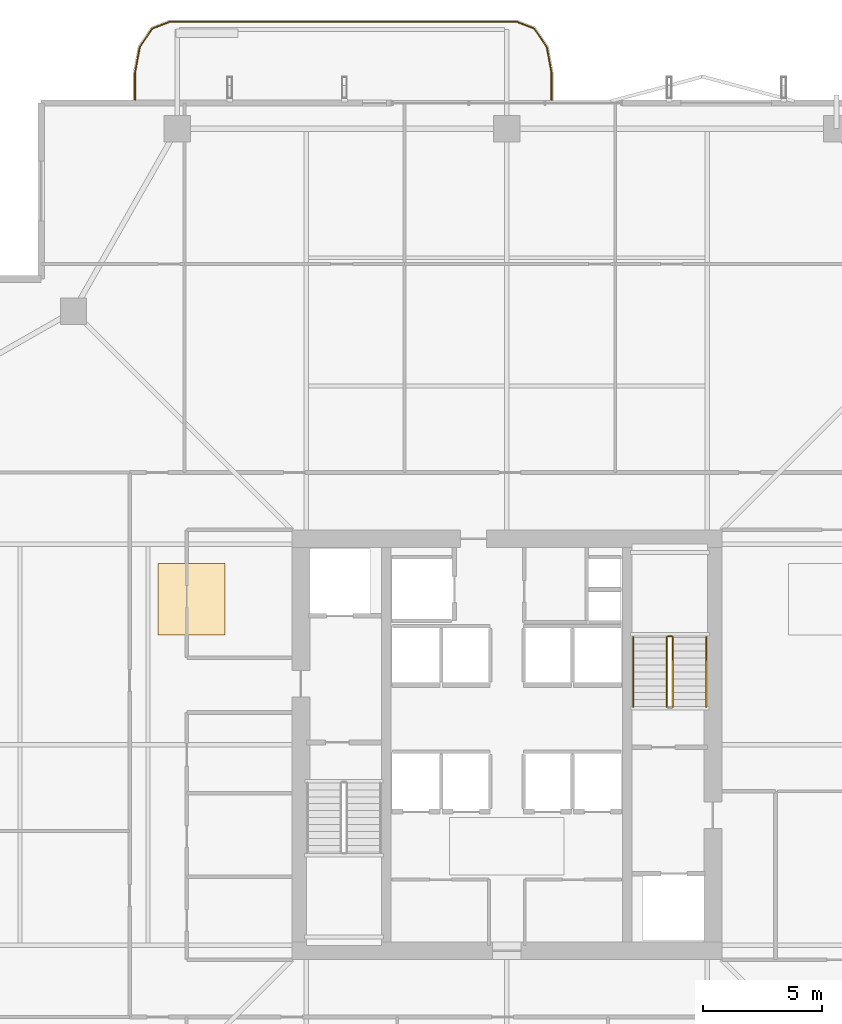
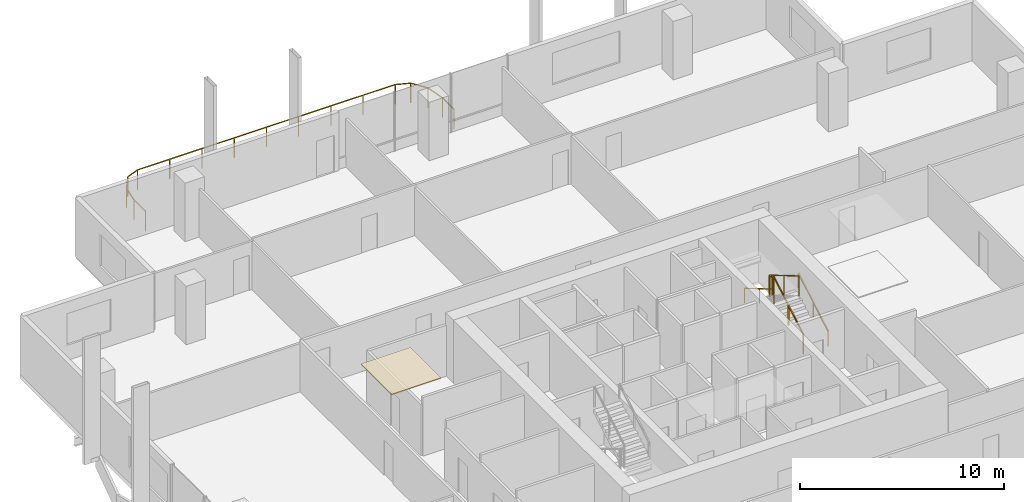
# One storey, part 23 of 24: 6 railings, 1 covering.
"""IFC4 building model written with IfcOpenShell, lengths in metres."""

from ifc_helpers import new_model, si_unit, direction, frame, origin, origin_2d, place, context, subcontext, project, spatial, polyline, rectangle, outline, extrude, material, layer, layer_set, type_object, element, save


model = new_model("IFC4")

# Units and contexts
model_context = context("Model", 3, precision=1e-05, world=origin(), true_north=direction((0.0, 1.0)))
body_context = subcontext(model_context, "Body", "Model", "MODEL_VIEW")
ifc_project = project(units=[si_unit("LENGTHUNIT", "METRE"), si_unit("AREAUNIT", "SQUARE_METRE"), si_unit("VOLUMEUNIT", "CUBIC_METRE"), si_unit("PLANEANGLEUNIT", "RADIAN"), si_unit("MASSUNIT", "GRAM", prefix="KILO")], contexts=[model_context])

# Site, building, storey
site_placement = place(None, origin())
site = spatial("IfcSite", under=ifc_project, at=site_placement, CompositionType="ELEMENT")
building_placement = place(site_placement, origin())
building = spatial("IfcBuilding", under=site, at=building_placement, Name="Belovzor Exchange Tower", CompositionType="ELEMENT")
storey_placement = place(building_placement, frame((0.0, 0.0, 203.699951171875)))
storey = spatial("IfcBuildingStorey", under=building, at=storey_placement, Name="L50", CompositionType="ELEMENT", Elevation=203.699951171875)

# Railings
ifc_material_1 = material(Name="Stainless Steel Grade 304", Category="steel")
railing_type_1 = type_object("IfcRailingType", Name="Brushed Stainless Steel Stair Handrail 900", PredefinedType="HANDRAIL", material=ifc_material_1)
railing_1_placement = place(storey_placement, frame((37.14990234375, 30.39990234375, 0.17041015625)))
element("IfcRailing", 1, at=railing_1_placement, inside=storey, type_object=railing_type_1, Name="L50 ST-2 stair handrail 1", PredefinedType="HANDRAIL", context=body_context, shape_type="SweptSolid", body=[
    extrude(rectangle(XDim=0.048095703125, YDim=0.048095703125, at=origin_2d()), frame((0.0, 0.0, 0.8759765625), z_axis=(0.0, 0.862113265706, 0.506715617574), x_axis=(-1.0, 0.0, 0.0)), (0.0, 0.0, 1.0), 3.364013671875),
    extrude(rectangle(XDim=0.0419921875, YDim=0.0419921875, at=origin_2d()), origin(), (0.0, 0.0, 1.0), 0.851806640625),
    extrude(rectangle(XDim=0.0419921875, YDim=0.0419921875, at=origin_2d()), frame((0.0, 1.4501953125, 0.852294921875)), (0.0, 0.0, 1.0), 0.851806640625),
    extrude(rectangle(XDim=0.0419921875, YDim=0.0419921875, at=origin_2d()), frame((0.0, 2.900146484375, 1.70458984375)), (0.0, 0.0, 1.0), 0.851806640625),
])
railing_2_placement = place(storey_placement, frame((34.10009765625, 33.300048828125, 2.04541015625)))
element("IfcRailing", 2, at=railing_2_placement, inside=storey, type_object=railing_type_1, Name="L50 ST-2 stair handrail 2", PredefinedType="HANDRAIL", context=body_context, shape_type="SweptSolid", body=[
    extrude(rectangle(XDim=0.048095703125, YDim=0.048095703125, at=origin_2d()), frame((0.0, 0.0, 0.8759765625), z_axis=(0.0, -0.862113265706, 0.506715617574), x_axis=(1.0, 0.0, 0.0)), (0.0, 0.0, 1.0), 3.364013671875),
    extrude(rectangle(XDim=0.0419921875, YDim=0.0419921875, at=origin_2d()), origin(), (0.0, 0.0, 1.0), 0.851806640625),
    extrude(rectangle(XDim=0.0419921875, YDim=0.0419921875, at=origin_2d()), frame((0.0, -1.4501953125, 0.852294921875)), (0.0, 0.0, 1.0), 0.851806640625),
    extrude(rectangle(XDim=0.0419921875, YDim=0.0419921875, at=origin_2d()), frame((0.0, -2.900146484375, 1.70458984375)), (0.0, 0.0, 1.0), 0.851806640625),
])
ifc_material_2 = material(Name="Stainless Steel and Laminated Safety Glass", Category="steel")
railing_type_2 = type_object("IfcRailingType", Name="Laminated Glass & Stainless Steel Balcony Balustrade 1200", PredefinedType="BALUSTRADE", material=ifc_material_2)
railing_3_placement = place(storey_placement, frame((30.669921875, 55.81005859375, 0.0)))
element("IfcRailing", 3, at=railing_3_placement, inside=storey, type_object=railing_type_2, Name="GR-1 Balcony Balustrade L50 North", PredefinedType="BALUSTRADE", context=body_context, shape_type="SweptSolid", body=[
    extrude(rectangle(XDim=0.048095703125, YDim=0.048095703125, at=origin_2d()), frame((0.0, 0.0, 1.17578125), z_axis=(0.0, 1.0, 0.0), x_axis=(-1.0, 0.0, 0.0)), (0.0, 0.0, 1.0), 1.133056640625),
    extrude(rectangle(XDim=0.048095703125, YDim=0.048095703125, at=origin_2d()), frame((0.0, 1.133056640625, 1.17578125), z_axis=(-0.180122719713, 0.983644145941, 0.0), x_axis=(-0.983644145941, -0.180122719713, 0.0)), (0.0, 0.0, 1.0), 1.09375),
    extrude(rectangle(XDim=0.048095703125, YDim=0.048095703125, at=origin_2d()), frame((-0.197021484375, 2.208984375, 1.17578125), z_axis=(-0.562768145367, 0.826614792125, 0.0), x_axis=(-0.826614792125, -0.562768145367, 0.0)), (0.0, 0.0, 1.0), 0.9326171875),
    extrude(rectangle(XDim=0.048095703125, YDim=0.048095703125, at=origin_2d()), frame((-0.721923828125, 2.97998046875, 1.17578125), z_axis=(-0.930766990125, 0.365612923861, 0.0), x_axis=(-0.365612923861, -0.930766990125, 0.0)), (0.0, 0.0, 1.0), 0.765869140625),
    extrude(rectangle(XDim=0.048095703125, YDim=0.048095703125, at=origin_2d()), frame((-1.434814453125, 3.260009765625, 1.17578125), z_axis=(-1.0, 0.0, 0.0), x_axis=(0.0, -1.0, 0.0)), (0.0, 0.0, 1.0), 14.570068359375),
    extrude(rectangle(XDim=0.048095703125, YDim=0.048095703125, at=origin_2d()), frame((-16.0048828125, 3.260009765625, 1.17578125), z_axis=(-0.930809580156, -0.365504480807, 0.0), x_axis=(0.365504480807, -0.930809580156, 0.0)), (0.0, 0.0, 1.0), 0.76611328125),
    extrude(rectangle(XDim=0.048095703125, YDim=0.048095703125, at=origin_2d()), frame((-16.718017578125, 2.97998046875, 1.17578125), z_axis=(-0.562768145367, -0.826614792125, 0.0), x_axis=(0.826614792125, -0.562768145367, 0.0)), (0.0, 0.0, 1.0), 0.9326171875),
    extrude(rectangle(XDim=0.048095703125, YDim=0.048095703125, at=origin_2d()), frame((-17.242919921875, 2.208984375, 1.17578125), z_axis=(-0.180122719713, -0.983644145941, 0.0), x_axis=(0.983644145941, -0.180122719713, 0.0)), (0.0, 0.0, 1.0), 1.09375),
    extrude(rectangle(XDim=0.048095703125, YDim=0.048095703125, at=origin_2d()), frame((-17.43994140625, 1.133056640625, 1.17578125), z_axis=(0.0, -1.0, 0.0), x_axis=(1.0, 0.0, 0.0)), (0.0, 0.0, 1.0), 1.133056640625),
    extrude(rectangle(XDim=0.0419921875, YDim=0.0419921875, at=origin_2d()), origin(), (0.0, 0.0, 1.0), 1.15185546875),
    extrude(rectangle(XDim=0.0419921875, YDim=0.0419921875, at=origin_2d()), frame((0.0, 1.133056640625, 0.0)), (0.0, 0.0, 1.0), 1.15185546875),
    extrude(rectangle(XDim=0.0419921875, YDim=0.0419921875, at=origin_2d()), frame((-0.197021484375, 2.208984375, 0.0)), (0.0, 0.0, 1.0), 1.15185546875),
    extrude(rectangle(XDim=0.0419921875, YDim=0.0419921875, at=origin_2d()), frame((-0.721923828125, 2.97998046875, 0.0)), (0.0, 0.0, 1.0), 1.15185546875),
    extrude(rectangle(XDim=0.0419921875, YDim=0.0419921875, at=origin_2d()), frame((-1.434814453125, 3.260009765625, 0.0)), (0.0, 0.0, 1.0), 1.15185546875),
    extrude(rectangle(XDim=0.0419921875, YDim=0.0419921875, at=origin_2d()), frame((-3.256103515625, 3.260009765625, 0.0)), (0.0, 0.0, 1.0), 1.15185546875),
    extrude(rectangle(XDim=0.0419921875, YDim=0.0419921875, at=origin_2d()), frame((-5.077392578125, 3.260009765625, 0.0)), (0.0, 0.0, 1.0), 1.15185546875),
    extrude(rectangle(XDim=0.0419921875, YDim=0.0419921875, at=origin_2d()), frame((-6.898681640625, 3.260009765625, 0.0)), (0.0, 0.0, 1.0), 1.15185546875),
    extrude(rectangle(XDim=0.0419921875, YDim=0.0419921875, at=origin_2d()), frame((-8.7197265625, 3.260009765625, 0.0)), (0.0, 0.0, 1.0), 1.15185546875),
    extrude(rectangle(XDim=0.0419921875, YDim=0.0419921875, at=origin_2d()), frame((-10.541015625, 3.260009765625, 0.0)), (0.0, 0.0, 1.0), 1.15185546875),
    extrude(rectangle(XDim=0.0419921875, YDim=0.0419921875, at=origin_2d()), frame((-12.3623046875, 3.260009765625, 0.0)), (0.0, 0.0, 1.0), 1.15185546875),
    extrude(rectangle(XDim=0.0419921875, YDim=0.0419921875, at=origin_2d()), frame((-14.18359375, 3.260009765625, 0.0)), (0.0, 0.0, 1.0), 1.15185546875),
    extrude(rectangle(XDim=0.0419921875, YDim=0.0419921875, at=origin_2d()), frame((-16.0048828125, 3.260009765625, 0.0)), (0.0, 0.0, 1.0), 1.15185546875),
    extrude(rectangle(XDim=0.0419921875, YDim=0.0419921875, at=origin_2d()), frame((-16.718017578125, 2.97998046875, 0.0)), (0.0, 0.0, 1.0), 1.15185546875),
    extrude(rectangle(XDim=0.0419921875, YDim=0.0419921875, at=origin_2d()), frame((-17.242919921875, 2.208984375, 0.0)), (0.0, 0.0, 1.0), 1.15185546875),
    extrude(rectangle(XDim=0.0419921875, YDim=0.0419921875, at=origin_2d()), frame((-17.43994140625, 1.133056640625, 0.0)), (0.0, 0.0, 1.0), 1.15185546875),
    extrude(rectangle(XDim=0.0419921875, YDim=0.0419921875, at=origin_2d()), frame((-17.43994140625, 0.0, 0.0)), (0.0, 0.0, 1.0), 1.15185546875),
])
ifc_material_3 = material(Name="Steel S355", Category="steel")
railing_type_3 = type_object("IfcRailingType", Name="Painted Steel Stairwell Guardrail 1200", PredefinedType="GUARDRAIL", material=ifc_material_3)
railing_4_placement = place(storey_placement, frame((35.75, 30.39990234375, 0.17041015625)))
element("IfcRailing", 4, at=railing_4_placement, inside=storey, type_object=railing_type_3, Name="L50 ST-2 stair guard 1", PredefinedType="GUARDRAIL", context=body_context, shape_type="SweptSolid", body=[
    extrude(rectangle(XDim=0.048095703125, YDim=0.048095703125, at=origin_2d()), frame((0.0, 0.0, 1.17578125), z_axis=(0.0, 0.862113265706, 0.506715617574), x_axis=(-1.0, 0.0, 0.0)), (0.0, 0.0, 1.0), 3.364013671875),
    extrude(rectangle(XDim=0.0419921875, YDim=0.0419921875, at=origin_2d()), origin(), (0.0, 0.0, 1.0), 1.15185546875),
    extrude(rectangle(XDim=0.0419921875, YDim=0.0419921875, at=origin_2d()), frame((0.0, 1.4501953125, 0.852294921875)), (0.0, 0.0, 1.0), 1.15185546875),
    extrude(rectangle(XDim=0.0419921875, YDim=0.0419921875, at=origin_2d()), frame((0.0, 2.900146484375, 1.70458984375)), (0.0, 0.0, 1.0), 1.15185546875),
])
railing_5_placement = place(storey_placement, frame((35.699951171875, 33.35009765625, 1.875)))
element("IfcRailing", 5, at=railing_5_placement, inside=storey, type_object=railing_type_3, Name="L50 ST-2 stair guard 2", PredefinedType="GUARDRAIL", context=body_context, shape_type="SweptSolid", body=[
    extrude(rectangle(XDim=0.048095703125, YDim=0.048095703125, at=origin_2d()), frame((0.0, 0.0, 1.17578125), z_axis=(-1.0, 0.0, 0.0), x_axis=(0.0, -1.0, 0.0)), (0.0, 0.0, 1.0), 0.14990234375),
    extrude(rectangle(XDim=0.0419921875, YDim=0.0419921875, at=origin_2d()), origin(), (0.0, 0.0, 1.0), 1.15185546875),
    extrude(rectangle(XDim=0.0419921875, YDim=0.0419921875, at=origin_2d()), frame((-0.14990234375, 0.0, 0.0)), (0.0, 0.0, 1.0), 1.15185546875),
])
railing_6_placement = place(storey_placement, frame((35.5, 33.300048828125, 2.04541015625)))
element("IfcRailing", 6, at=railing_6_placement, inside=storey, type_object=railing_type_3, Name="L50 ST-2 stair guard 3", PredefinedType="GUARDRAIL", context=body_context, shape_type="SweptSolid", body=[
    extrude(rectangle(XDim=0.048095703125, YDim=0.048095703125, at=origin_2d()), frame((0.0, 0.0, 1.17578125), z_axis=(0.0, -0.862113265706, 0.506715617574), x_axis=(1.0, 0.0, 0.0)), (0.0, 0.0, 1.0), 3.364013671875),
    extrude(rectangle(XDim=0.0419921875, YDim=0.0419921875, at=origin_2d()), origin(), (0.0, 0.0, 1.0), 1.15185546875),
    extrude(rectangle(XDim=0.0419921875, YDim=0.0419921875, at=origin_2d()), frame((0.0, -1.4501953125, 0.852294921875)), (0.0, 0.0, 1.0), 1.15185546875),
    extrude(rectangle(XDim=0.0419921875, YDim=0.0419921875, at=origin_2d()), frame((0.0, -2.900146484375, 1.70458984375)), (0.0, 0.0, 1.0), 1.15185546875),
])

# Covering
ifc_material_4 = material(Name="Perforated Powder-Coated Aluminium", Category="aluminium")
ifc_layer = layer(ifc_material_4, 0.06005859375)
ifc_layer_set = layer_set([ifc_layer], Name="Perforated Powder-Coated Aluminium")
covering_type = type_object("IfcCoveringType", Name="Perforated Acoustic Metal Tile Suspended Ceiling 60", PredefinedType="CEILING", material=ifc_layer_set)
covering_placement = place(storey_placement, frame((0.0, 0.0, 3.43994140625)))
element("IfcCovering", 7, at=covering_placement, inside=storey, type_object=covering_type, Name="CLG-AC60 Suspended Ceiling CLG-L50-Z3", PredefinedType="CEILING", context=body_context, shape_type="SweptSolid", body=[
    extrude(outline(polyline([(14.199951171875, 33.39990234375), (17.0, 33.39990234375), (17.0, 36.39990234375), (14.199951171875, 36.39990234375), (14.199951171875, 33.39990234375)])), origin(), (0.0, 0.0, 1.0), 0.06005859375),
])

save(model, "model.ifc")
